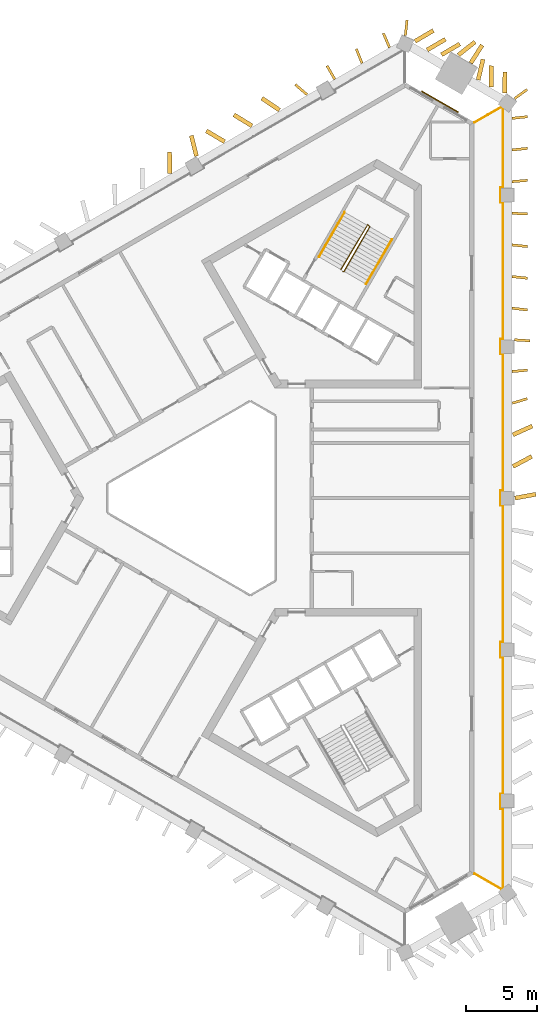
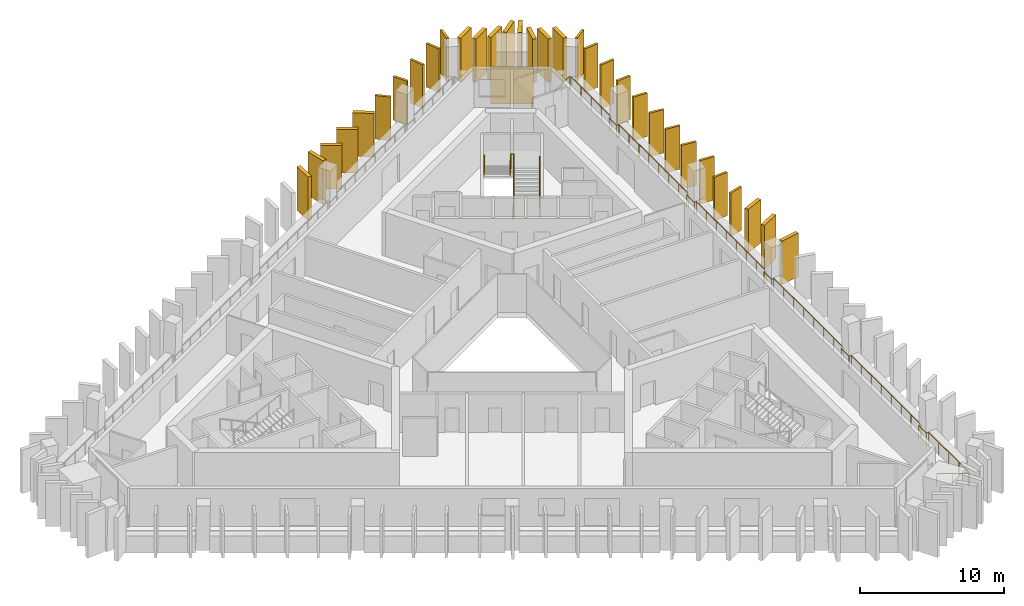
# One storey, part 9 of 9: 32 shading devices, 4 railings, 1 covering.
"""IFC4 building model written with IfcOpenShell, lengths in metres."""

from ifc_helpers import new_model, si_unit, direction, frame, frame_2d, origin, origin_2d, place, context, subcontext, project, spatial, rectangle, circle, extrude, material, layer, layer_set, type_object, element, save


model = new_model("IFC4")

# Units and contexts
model_context = context("Model", 3, precision=1e-05, world=origin(), true_north=direction((0.0, 1.0)))
body_context = subcontext(model_context, "Body", "Model", "MODEL_VIEW")
ifc_project = project(units=[si_unit("LENGTHUNIT", "METRE"), si_unit("AREAUNIT", "SQUARE_METRE"), si_unit("VOLUMEUNIT", "CUBIC_METRE"), si_unit("PLANEANGLEUNIT", "RADIAN"), si_unit("MASSUNIT", "GRAM", prefix="KILO")], contexts=[model_context])

# Site, building, storey
site_placement = place(None, origin())
site = spatial("IfcSite", under=ifc_project, at=site_placement, CompositionType="ELEMENT")
building_placement = place(site_placement, origin())
building = spatial("IfcBuilding", under=site, at=building_placement, Name="Jabali Bay Hotel Tower and Convention Centre", CompositionType="ELEMENT")
storey_placement = place(building_placement, frame((0.0, 0.0, 182.199951171875)))
storey = spatial("IfcBuildingStorey", under=building, at=storey_placement, Name="L44", CompositionType="ELEMENT", Elevation=182.199951171875)

# Railing
ifc_material_1 = material(Name="Glass", Category="glass")
railing_type_1 = type_object("IfcRailingType", Name="Loggia glass guard 1100", PredefinedType="BALUSTRADE", material=ifc_material_1)
railing_1_placement = place(storey_placement, frame((93.627197265625, 106.55322265625, 0.0)))
element("IfcRailing", 1, at=railing_1_placement, inside=storey, type_object=railing_type_1, Name="Loggia glass guard L44", PredefinedType="BALUSTRADE", context=body_context, shape_type="SweptSolid", body=[
    extrude(circle(Radius=0.02490234375, at=origin_2d()), frame((0.0, 0.0, 1.0751953125), z_axis=(0.866035418383, 0.499982653806, 0.0), x_axis=(-0.495705232892, 0.858626365323, 0.13052619222)), (0.0, 0.0, 1.0), 2.19287109375),
    extrude(circle(Radius=0.02490234375, at=origin_2d()), frame((1.899169921875, 1.096435546875, 1.0751953125), z_axis=(0.799767562016, -0.600309792313, 0.0), x_axis=(0.595174058821, 0.792925439655, 0.13052619222)), (0.0, 0.0, 1.0), 0.1259765625),
    extrude(circle(Radius=0.02490234375, at=origin_2d()), frame((2.0, 1.020751953125, 1.0751953125), z_axis=(0.0, -1.0, 0.0), x_axis=(0.991444861374, 0.0, 0.13052619222)), (0.0, 0.0, 1.0), 5.615234375),
    extrude(circle(Radius=0.02490234375, at=origin_2d()), frame((2.0, -4.594482421875, 1.0751953125), z_axis=(-1.0, 0.0, 0.0), x_axis=(0.0, -0.991444861374, 0.13052619222)), (0.0, 0.0, 1.0), 0.175048828125),
    extrude(circle(Radius=0.02490234375, at=origin_2d()), frame((1.824951171875, -4.594482421875, 1.0751953125), z_axis=(0.0, -1.0, 0.0), x_axis=(0.991444861374, 0.0, 0.13052619222)), (0.0, 0.0, 1.0), 1.050048828125),
    extrude(circle(Radius=0.02490234375, at=origin_2d()), frame((1.824951171875, -5.64453125, 1.0751953125), z_axis=(1.0, 0.0, 0.0), x_axis=(0.0, 0.991444861374, 0.13052619222)), (0.0, 0.0, 1.0), 0.175048828125),
    extrude(circle(Radius=0.02490234375, at=origin_2d()), frame((2.0, -5.64453125, 1.0751953125), z_axis=(0.0, -1.0, 0.0), x_axis=(0.991444861374, 0.0, 0.13052619222)), (0.0, 0.0, 1.0), 9.666748046875),
    extrude(circle(Radius=0.02490234375, at=origin_2d()), frame((2.0, -15.311279296875, 1.0751953125), z_axis=(-1.0, 0.0, 0.0), x_axis=(0.0, -0.991444861374, 0.13052619222)), (0.0, 0.0, 1.0), 0.175048828125),
    extrude(circle(Radius=0.02490234375, at=origin_2d()), frame((1.824951171875, -15.311279296875, 1.0751953125), z_axis=(0.0, -1.0, 0.0), x_axis=(0.991444861374, 0.0, 0.13052619222)), (0.0, 0.0, 1.0), 1.050048828125),
    extrude(circle(Radius=0.02490234375, at=origin_2d()), frame((1.824951171875, -16.361328125, 1.0751953125), z_axis=(1.0, 0.0, 0.0), x_axis=(0.0, 0.991444861374, 0.13052619222)), (0.0, 0.0, 1.0), 0.175048828125),
    extrude(circle(Radius=0.02490234375, at=origin_2d()), frame((2.0, -16.361328125, 1.0751953125), z_axis=(0.0, -1.0, 0.0), x_axis=(0.991444861374, 0.0, 0.13052619222)), (0.0, 0.0, 1.0), 9.6669921875),
    extrude(circle(Radius=0.02490234375, at=origin_2d()), frame((2.0, -26.0283203125, 1.0751953125), z_axis=(-1.0, 0.0, 0.0), x_axis=(0.0, -0.991444861374, 0.13052619222)), (0.0, 0.0, 1.0), 0.175048828125),
    extrude(circle(Radius=0.02490234375, at=origin_2d()), frame((1.824951171875, -26.0283203125, 1.0751953125), z_axis=(0.0, -1.0, 0.0), x_axis=(0.991444861374, 0.0, 0.13052619222)), (0.0, 0.0, 1.0), 1.0498046875),
    extrude(circle(Radius=0.02490234375, at=origin_2d()), frame((1.824951171875, -27.078125, 1.0751953125), z_axis=(1.0, 0.0, 0.0), x_axis=(0.0, 0.991444861374, 0.13052619222)), (0.0, 0.0, 1.0), 0.175048828125),
    extrude(circle(Radius=0.02490234375, at=origin_2d()), frame((2.0, -27.078125, 1.0751953125), z_axis=(0.0, -1.0, 0.0), x_axis=(0.991444861374, 0.0, 0.13052619222)), (0.0, 0.0, 1.0), 9.6669921875),
    extrude(circle(Radius=0.02490234375, at=origin_2d()), frame((2.0, -36.7451171875, 1.0751953125), z_axis=(-1.0, 0.0, 0.0), x_axis=(0.0, -0.991444861374, 0.13052619222)), (0.0, 0.0, 1.0), 0.175048828125),
    extrude(circle(Radius=0.02490234375, at=origin_2d()), frame((1.824951171875, -36.7451171875, 1.0751953125), z_axis=(0.0, -1.0, 0.0), x_axis=(0.991444861374, 0.0, 0.13052619222)), (0.0, 0.0, 1.0), 1.050048828125),
    extrude(circle(Radius=0.02490234375, at=origin_2d()), frame((1.824951171875, -37.795166015625, 1.0751953125), z_axis=(1.0, 0.0, 0.0), x_axis=(0.0, 0.991444861374, 0.13052619222)), (0.0, 0.0, 1.0), 0.175048828125),
    extrude(circle(Radius=0.02490234375, at=origin_2d()), frame((2.0, -37.795166015625, 1.0751953125), z_axis=(0.0, -1.0, 0.0), x_axis=(0.991444861374, 0.0, 0.13052619222)), (0.0, 0.0, 1.0), 9.666748046875),
    extrude(circle(Radius=0.02490234375, at=origin_2d()), frame((2.0, -47.4619140625, 1.0751953125), z_axis=(-1.0, 0.0, 0.0), x_axis=(0.0, -0.991444861374, 0.13052619222)), (0.0, 0.0, 1.0), 0.175048828125),
    extrude(circle(Radius=0.02490234375, at=origin_2d()), frame((1.824951171875, -47.4619140625, 1.0751953125), z_axis=(0.0, -1.0, 0.0), x_axis=(0.991444861374, 0.0, 0.13052619222)), (0.0, 0.0, 1.0), 1.050048828125),
    extrude(circle(Radius=0.02490234375, at=origin_2d()), frame((1.824951171875, -48.511962890625, 1.0751953125), z_axis=(1.0, 0.0, 0.0), x_axis=(0.0, 0.991444861374, 0.13052619222)), (0.0, 0.0, 1.0), 0.175048828125),
    extrude(circle(Radius=0.02490234375, at=origin_2d()), frame((2.0, -48.511962890625, 1.0751953125), z_axis=(0.0, -1.0, 0.0), x_axis=(0.991444861374, 0.0, 0.13052619222)), (0.0, 0.0, 1.0), 5.615234375),
    extrude(circle(Radius=0.02490234375, at=origin_2d()), frame((2.0, -54.127197265625, 1.0751953125), z_axis=(-0.799767562016, -0.600309792313, 0.0), x_axis=(0.595174058821, -0.792925439655, 0.13052619222)), (0.0, 0.0, 1.0), 0.1259765625),
    extrude(circle(Radius=0.02490234375, at=origin_2d()), frame((1.899169921875, -54.202880859375, 1.0751953125), z_axis=(-0.866035418383, 0.499982653806, 0.0), x_axis=(-0.495705232892, -0.858626365323, 0.13052619222)), (0.0, 0.0, 1.0), 2.19287109375),
    extrude(circle(Radius=0.02001953125, at=origin_2d()), origin(), (0.0, 0.0, 1.0), 1.050048828125),
    extrude(circle(Radius=0.02001953125, at=origin_2d()), frame((0.94970703125, 0.54833984375, 0.0)), (0.0, 0.0, 1.0), 1.050048828125),
    extrude(circle(Radius=0.02001953125, at=origin_2d()), frame((1.899169921875, 1.096435546875, 0.0)), (0.0, 0.0, 1.0), 1.050048828125),
    extrude(circle(Radius=0.02001953125, at=origin_2d()), frame((2.0, 1.020751953125, 0.0)), (0.0, 0.0, 1.0), 1.050048828125),
    extrude(circle(Radius=0.02001953125, at=origin_2d()), frame((2.0, -0.383056640625, 0.0)), (0.0, 0.0, 1.0), 1.050048828125),
    extrude(circle(Radius=0.02001953125, at=origin_2d()), frame((2.0, -1.786865234375, 0.0)), (0.0, 0.0, 1.0), 1.050048828125),
    extrude(circle(Radius=0.02001953125, at=origin_2d()), frame((2.0, -3.190673828125, 0.0)), (0.0, 0.0, 1.0), 1.050048828125),
    extrude(circle(Radius=0.02001953125, at=origin_2d()), frame((2.0, -4.594482421875, 0.0)), (0.0, 0.0, 1.0), 1.050048828125),
    extrude(circle(Radius=0.02001953125, at=origin_2d()), frame((1.824951171875, -4.594482421875, 0.0)), (0.0, 0.0, 1.0), 1.050048828125),
    extrude(circle(Radius=0.02001953125, at=origin_2d()), frame((1.824951171875, -5.64453125, 0.0)), (0.0, 0.0, 1.0), 1.050048828125),
    extrude(circle(Radius=0.02001953125, at=origin_2d()), frame((2.0, -5.64453125, 0.0)), (0.0, 0.0, 1.0), 1.050048828125),
    extrude(circle(Radius=0.02001953125, at=origin_2d()), frame((2.0, -7.025390625, 0.0)), (0.0, 0.0, 1.0), 1.050048828125),
    extrude(circle(Radius=0.02001953125, at=origin_2d()), frame((2.0, -8.406494140625, 0.0)), (0.0, 0.0, 1.0), 1.050048828125),
    extrude(circle(Radius=0.02001953125, at=origin_2d()), frame((2.0, -9.787353515625, 0.0)), (0.0, 0.0, 1.0), 1.050048828125),
    extrude(circle(Radius=0.02001953125, at=origin_2d()), frame((2.0, -11.16845703125, 0.0)), (0.0, 0.0, 1.0), 1.050048828125),
    extrude(circle(Radius=0.02001953125, at=origin_2d()), frame((2.0, -12.54931640625, 0.0)), (0.0, 0.0, 1.0), 1.050048828125),
    extrude(circle(Radius=0.02001953125, at=origin_2d()), frame((2.0, -13.930419921875, 0.0)), (0.0, 0.0, 1.0), 1.050048828125),
    extrude(circle(Radius=0.02001953125, at=origin_2d()), frame((2.0, -15.311279296875, 0.0)), (0.0, 0.0, 1.0), 1.050048828125),
    extrude(circle(Radius=0.02001953125, at=origin_2d()), frame((1.824951171875, -15.311279296875, 0.0)), (0.0, 0.0, 1.0), 1.050048828125),
    extrude(circle(Radius=0.02001953125, at=origin_2d()), frame((1.824951171875, -16.361328125, 0.0)), (0.0, 0.0, 1.0), 1.050048828125),
    extrude(circle(Radius=0.02001953125, at=origin_2d()), frame((2.0, -16.361328125, 0.0)), (0.0, 0.0, 1.0), 1.050048828125),
    extrude(circle(Radius=0.02001953125, at=origin_2d()), frame((2.0, -17.742431640625, 0.0)), (0.0, 0.0, 1.0), 1.050048828125),
    extrude(circle(Radius=0.02001953125, at=origin_2d()), frame((2.0, -19.123291015625, 0.0)), (0.0, 0.0, 1.0), 1.050048828125),
    extrude(circle(Radius=0.02001953125, at=origin_2d()), frame((2.0, -20.50439453125, 0.0)), (0.0, 0.0, 1.0), 1.050048828125),
    extrude(circle(Radius=0.02001953125, at=origin_2d()), frame((2.0, -21.88525390625, 0.0)), (0.0, 0.0, 1.0), 1.050048828125),
    extrude(circle(Radius=0.02001953125, at=origin_2d()), frame((2.0, -23.266357421875, 0.0)), (0.0, 0.0, 1.0), 1.050048828125),
    extrude(circle(Radius=0.02001953125, at=origin_2d()), frame((2.0, -24.647216796875, 0.0)), (0.0, 0.0, 1.0), 1.050048828125),
    extrude(circle(Radius=0.02001953125, at=origin_2d()), frame((2.0, -26.0283203125, 0.0)), (0.0, 0.0, 1.0), 1.050048828125),
    extrude(circle(Radius=0.02001953125, at=origin_2d()), frame((1.824951171875, -26.0283203125, 0.0)), (0.0, 0.0, 1.0), 1.050048828125),
    extrude(circle(Radius=0.02001953125, at=origin_2d()), frame((1.824951171875, -27.078125, 0.0)), (0.0, 0.0, 1.0), 1.050048828125),
    extrude(circle(Radius=0.02001953125, at=origin_2d()), frame((2.0, -27.078125, 0.0)), (0.0, 0.0, 1.0), 1.050048828125),
    extrude(circle(Radius=0.02001953125, at=origin_2d()), frame((2.0, -28.459228515625, 0.0)), (0.0, 0.0, 1.0), 1.050048828125),
    extrude(circle(Radius=0.02001953125, at=origin_2d()), frame((2.0, -29.840087890625, 0.0)), (0.0, 0.0, 1.0), 1.050048828125),
    extrude(circle(Radius=0.02001953125, at=origin_2d()), frame((2.0, -31.22119140625, 0.0)), (0.0, 0.0, 1.0), 1.050048828125),
    extrude(circle(Radius=0.02001953125, at=origin_2d()), frame((2.0, -32.60205078125, 0.0)), (0.0, 0.0, 1.0), 1.050048828125),
    extrude(circle(Radius=0.02001953125, at=origin_2d()), frame((2.0, -33.983154296875, 0.0)), (0.0, 0.0, 1.0), 1.050048828125),
    extrude(circle(Radius=0.02001953125, at=origin_2d()), frame((2.0, -35.364013671875, 0.0)), (0.0, 0.0, 1.0), 1.050048828125),
    extrude(circle(Radius=0.02001953125, at=origin_2d()), frame((2.0, -36.7451171875, 0.0)), (0.0, 0.0, 1.0), 1.050048828125),
    extrude(circle(Radius=0.02001953125, at=origin_2d()), frame((1.824951171875, -36.7451171875, 0.0)), (0.0, 0.0, 1.0), 1.050048828125),
    extrude(circle(Radius=0.02001953125, at=origin_2d()), frame((1.824951171875, -37.795166015625, 0.0)), (0.0, 0.0, 1.0), 1.050048828125),
    extrude(circle(Radius=0.02001953125, at=origin_2d()), frame((2.0, -37.795166015625, 0.0)), (0.0, 0.0, 1.0), 1.050048828125),
    extrude(circle(Radius=0.02001953125, at=origin_2d()), frame((2.0, -39.176025390625, 0.0)), (0.0, 0.0, 1.0), 1.050048828125),
    extrude(circle(Radius=0.02001953125, at=origin_2d()), frame((2.0, -40.55712890625, 0.0)), (0.0, 0.0, 1.0), 1.050048828125),
    extrude(circle(Radius=0.02001953125, at=origin_2d()), frame((2.0, -41.93798828125, 0.0)), (0.0, 0.0, 1.0), 1.050048828125),
    extrude(circle(Radius=0.02001953125, at=origin_2d()), frame((2.0, -43.319091796875, 0.0)), (0.0, 0.0, 1.0), 1.050048828125),
    extrude(circle(Radius=0.02001953125, at=origin_2d()), frame((2.0, -44.699951171875, 0.0)), (0.0, 0.0, 1.0), 1.050048828125),
    extrude(circle(Radius=0.02001953125, at=origin_2d()), frame((2.0, -46.0810546875, 0.0)), (0.0, 0.0, 1.0), 1.050048828125),
    extrude(circle(Radius=0.02001953125, at=origin_2d()), frame((2.0, -47.4619140625, 0.0)), (0.0, 0.0, 1.0), 1.050048828125),
    extrude(circle(Radius=0.02001953125, at=origin_2d()), frame((1.824951171875, -47.4619140625, 0.0)), (0.0, 0.0, 1.0), 1.050048828125),
    extrude(circle(Radius=0.02001953125, at=origin_2d()), frame((1.824951171875, -48.511962890625, 0.0)), (0.0, 0.0, 1.0), 1.050048828125),
    extrude(circle(Radius=0.02001953125, at=origin_2d()), frame((2.0, -48.511962890625, 0.0)), (0.0, 0.0, 1.0), 1.050048828125),
    extrude(circle(Radius=0.02001953125, at=origin_2d()), frame((2.0, -49.915771484375, 0.0)), (0.0, 0.0, 1.0), 1.050048828125),
    extrude(circle(Radius=0.02001953125, at=origin_2d()), frame((2.0, -51.319580078125, 0.0)), (0.0, 0.0, 1.0), 1.050048828125),
    extrude(circle(Radius=0.02001953125, at=origin_2d()), frame((2.0, -52.723388671875, 0.0)), (0.0, 0.0, 1.0), 1.050048828125),
    extrude(circle(Radius=0.02001953125, at=origin_2d()), frame((2.0, -54.127197265625, 0.0)), (0.0, 0.0, 1.0), 1.050048828125),
    extrude(circle(Radius=0.02001953125, at=origin_2d()), frame((1.899169921875, -54.202880859375, 0.0)), (0.0, 0.0, 1.0), 1.050048828125),
    extrude(circle(Radius=0.02001953125, at=origin_2d()), frame((0.94970703125, -53.65478515625, 0.0)), (0.0, 0.0, 1.0), 1.050048828125),
    extrude(circle(Radius=0.02001953125, at=origin_2d()), frame((0.0, -53.1064453125, 0.0)), (0.0, 0.0, 1.0), 1.050048828125),
])

# Shading devices
ifc_material_2 = material(Name="Precast concrete C60", Category="concrete")
ifc_layer_1 = layer(ifc_material_2, 0.179931640625)
ifc_layer_set_1 = layer_set([ifc_layer_1], Name="Precast concrete C60")
shading_device_type_1 = type_object("IfcShadingDeviceType", Name="Precast fin 3680 x 1100", PredefinedType="USERDEFINED", material=ifc_layer_set_1)
shading_device_1_placement = place(storey_placement, frame((96.295654296875, 86.712158203125, 0.010009765625), z_axis=(0.0, 0.0, 1.0), x_axis=(0.957207138057, 0.28940368839, 0.0)))
element("IfcShadingDevice", 2, at=shading_device_1_placement, inside=storey, type_object=shading_device_type_1, Name="Fin L44 015", ObjectType="FIN", PredefinedType="USERDEFINED", context=body_context, shape_type="SweptSolid", body=[
    extrude(rectangle(XDim=1.10009765625, YDim=0.179931640625, at=frame_2d((0.550048828125, 0.0))), origin(), (0.0, 0.0, 1.0), 3.679931640625),
])
for number, where, z_axis, x_axis, name in (
    (3, (96.277587890625, 88.94970703125, 0.010009765625), (0.0, 0.0, 1.0), (0.996129850025, 0.087893810296, 0.0), "Fin L44 016"),
    (4, (96.45751953125, 91.18701171875, 0.010009765625), (0.0, 0.0, 1.0), (0.998242074806, -0.059268542133, 0.0), "Fin L44 017"),
):
    element("IfcShadingDevice", number, at=place(storey_placement, frame(where, z_axis=z_axis, x_axis=x_axis)), inside=storey, type_object=shading_device_type_1, Name=name, ObjectType="FIN", PredefinedType="USERDEFINED", context=body_context, shape_type="SweptSolid", body=[
        extrude(rectangle(XDim=1.099853515625, YDim=0.179931640625, at=frame_2d((0.5498046875, 0.0))), origin(), (0.0, 0.0, 1.0), 3.679931640625),
    ])
for number, where, z_axis, x_axis, name in (
    (5, (96.27978515625, 93.424560546875, 0.010009765625), (0.0, 0.0, 1.0), (0.99364875495, -0.112526227107, 0.0), "Fin L44 018"),
    (6, (96.279296875, 95.661865234375, 0.010009765625), (0.0, 0.0, 1.0), (0.994285620434, -0.106752540944, 0.0), "Fin L44 019"),
    (7, (96.279052734375, 97.8994140625, 0.010009765625), (0.0, 0.0, 1.0), (0.99447500941, -0.104973595057, 0.0), "Fin L44 020"),
    (8, (96.2734375, 100.13671875, 0.010009765625), (0.0, 0.0, 1.0), (0.999063262983, -0.043273508725, 0.0), "Fin L44 021"),
):
    element("IfcShadingDevice", number, at=place(storey_placement, frame(where, z_axis=z_axis, x_axis=x_axis)), inside=storey, type_object=shading_device_type_1, Name=name, ObjectType="FIN", PredefinedType="USERDEFINED", context=body_context, shape_type="SweptSolid", body=[
        extrude(rectangle(XDim=1.10009765625, YDim=0.179931640625, at=frame_2d((0.550048828125, 0.0))), origin(), (0.0, 0.0, 1.0), 3.679931640625),
    ])
for number, where, z_axis, x_axis, name in (
    (9, (96.27685546875, 102.374267578125, 0.010009765625), (0.0, 0.0, 1.0), (0.99678486003, 0.08012454564, 0.0), "Fin L44 022"),
    (10, (96.279052734375, 104.611572265625, 0.010009765625), (0.0, 0.0, 1.0), (0.994613165914, 0.103656404482, 0.0), "Fin L44 023"),
    (11, (96.279052734375, 106.848876953125, 0.010009765625), (0.0, 0.0, 1.0), (0.994613165914, 0.103656404482, 0.0), "Fin L44 024"),
):
    element("IfcShadingDevice", number, at=place(storey_placement, frame(where, z_axis=z_axis, x_axis=x_axis)), inside=storey, type_object=shading_device_type_1, Name=name, ObjectType="FIN", PredefinedType="USERDEFINED", context=body_context, shape_type="SweptSolid", body=[
        extrude(rectangle(XDim=1.099853515625, YDim=0.179931640625, at=frame_2d((0.5498046875, 0.0))), origin(), (0.0, 0.0, 1.0), 3.679931640625),
    ])
shading_device_2_placement = place(storey_placement, frame((87.61181640625, 111.853515625, 0.010009765625), z_axis=(0.0, 0.0, 1.0), x_axis=(-0.396168160574, 0.918177972153, 0.0)))
element("IfcShadingDevice", 12, at=shading_device_2_placement, inside=storey, type_object=shading_device_type_1, Name="Fin L44 033", ObjectType="FIN", PredefinedType="USERDEFINED", context=body_context, shape_type="SweptSolid", body=[
    extrude(rectangle(XDim=1.10009765625, YDim=0.179931640625, at=frame_2d((0.550048828125, 0.0))), origin(), (0.0, 0.0, 1.0), 3.679931640625),
])
shading_device_3_placement = place(storey_placement, frame((85.673095703125, 110.73681640625, 0.010009765625), z_axis=(0.0, 0.0, 1.0), x_axis=(-0.37357105463, 0.927601567023, 0.0)))
element("IfcShadingDevice", 13, at=shading_device_3_placement, inside=storey, type_object=shading_device_type_1, Name="Fin L44 034", ObjectType="FIN", PredefinedType="USERDEFINED", context=body_context, shape_type="SweptSolid", body=[
    extrude(rectangle(XDim=1.099853515625, YDim=0.179931640625, at=frame_2d((0.5498046875, 0.0))), origin(), (0.0, 0.0, 1.0), 3.679931640625),
])
shading_device_4_placement = place(storey_placement, frame((83.741455078125, 109.607666015625, 0.010009765625), z_axis=(0.0, 0.0, 1.0), x_axis=(-0.494943365367, 0.86892523561, 0.0)))
element("IfcShadingDevice", 14, at=shading_device_4_placement, inside=storey, type_object=shading_device_type_1, Name="Fin L44 035", ObjectType="FIN", PredefinedType="USERDEFINED", context=body_context, shape_type="SweptSolid", body=[
    extrude(rectangle(XDim=1.10009765625, YDim=0.179931640625, at=frame_2d((0.550048828125, 0.0))), origin(), (0.0, 0.0, 1.0), 3.679931640625),
])
for number, where, z_axis, x_axis, name in (
    (15, (81.7890625, 108.514404296875, 0.010009765625), (0.0, 0.0, 1.0), (-0.759193920295, 0.650864495411, 0.0), "Fin L44 036"),
    (16, (96.44921875, 108.240234375, 0.010009765625), (0.0, 0.0, 1.0), (0.809512861394, 0.587102143786, 0.0), "Fin L44 100"),
):
    element("IfcShadingDevice", number, at=place(storey_placement, frame(where, z_axis=z_axis, x_axis=x_axis)), inside=storey, type_object=shading_device_type_1, Name=name, ObjectType="FIN", PredefinedType="USERDEFINED", context=body_context, shape_type="SweptSolid", body=[
        extrude(rectangle(XDim=1.099853515625, YDim=0.179931640625, at=frame_2d((0.5498046875, 0.0))), origin(), (0.0, 0.0, 1.0), 3.679931640625),
    ])
shading_device_5_placement = place(storey_placement, frame((88.732177734375, 112.695068359375, 0.010009765625), z_axis=(0.0, 0.0, 1.0), x_axis=(0.110748191333, 0.993848498573, 0.0)))
element("IfcShadingDevice", 17, at=shading_device_5_placement, inside=storey, type_object=shading_device_type_1, Name="Fin L44 101", ObjectType="FIN", PredefinedType="USERDEFINED", context=body_context, shape_type="SweptSolid", body=[
    extrude(rectangle(XDim=1.10009765625, YDim=0.179931640625, at=frame_2d((0.550048828125, 0.0))), origin(), (0.0, 0.0, 1.0), 3.679931640625),
])
ifc_layer_2 = layer(ifc_material_2, 0.300048828125)
ifc_layer_set_2 = layer_set([ifc_layer_2], Name="Precast concrete C60")
shading_device_type_2 = type_object("IfcShadingDeviceType", Name="Precast fin 3680 x 1500", PredefinedType="USERDEFINED", material=ifc_layer_set_2)
shading_device_6_placement = place(storey_placement, frame((96.4794921875, 80.0, 0.010009765625), z_axis=(0.0, 0.0, 1.0), x_axis=(0.983331621675, 0.181821125875, 0.0)))
element("IfcShadingDevice", 18, at=shading_device_6_placement, inside=storey, type_object=shading_device_type_2, Name="Fin L44 012", ObjectType="FIN", PredefinedType="USERDEFINED", context=body_context, shape_type="SweptSolid", body=[
    extrude(rectangle(XDim=1.499755859375, YDim=0.300048828125, at=frame_2d((0.75, 0.0))), origin(), (0.0, 0.0, 1.0), 3.679931640625),
])
for number, where, z_axis, x_axis, name in (
    (19, (96.340087890625, 82.2373046875, 0.010009765625), (0.0, 0.0, 1.0), (0.882641123357, 0.470047494791, 0.0), "Fin L44 013"),
    (20, (96.331298828125, 84.474853515625, 0.010009765625), (0.0, 0.0, 1.0), (0.911854488738, 0.41051357026, 0.0), "Fin L44 014"),
    (21, (95.7578125, 108.63330078125, 0.010009765625), (0.0, 0.0, 1.0), (0.007649515767, 0.999970742026, 0.0), "Fin L44 025"),
    (22, (94.799072265625, 109.064453125, 0.010009765625), (0.0, 0.0, 1.0), (0.007649515767, 0.999970742026, 0.0), "Fin L44 026"),
    (23, (93.878173828125, 109.560791015625, 0.010009765625), (0.0, 0.0, 1.0), (0.228839748504, 0.973464107969, 0.0), "Fin L44 027"),
    (24, (93.360107421875, 110.755126953125, 0.010009765625), (0.0, 0.0, 1.0), (0.534862319913, 0.844939227836, 0.0), "Fin L44 028"),
    (25, (92.479248046875, 111.320556640625, 0.010009765625), (0.0, 0.0, 1.0), (0.784649406973, 0.619939761701, 0.0), "Fin L44 029"),
    (26, (91.28466796875, 111.34326171875, 0.010009765625), (0.0, 0.0, 1.0), (0.862139163582, 0.506671552998, 0.0), "Fin L44 030"),
    (27, (90.27099609375, 111.6787109375, 0.010009765625), (0.0, 0.0, 1.0), (0.862139163582, 0.506671552998, 0.0), "Fin L44 031"),
):
    element("IfcShadingDevice", number, at=place(storey_placement, frame(where, z_axis=z_axis, x_axis=x_axis)), inside=storey, type_object=shading_device_type_2, Name=name, ObjectType="FIN", PredefinedType="USERDEFINED", context=body_context, shape_type="SweptSolid", body=[
        extrude(rectangle(XDim=1.5, YDim=0.300048828125, at=frame_2d((0.75, 0.0))), origin(), (0.0, 0.0, 1.0), 3.679931640625),
    ])
shading_device_7_placement = place(storey_placement, frame((89.418212890625, 112.29345703125, 0.010009765625), z_axis=(0.0, 0.0, 1.0), x_axis=(0.862180937869, 0.506600464248, 0.0)))
element("IfcShadingDevice", 28, at=shading_device_7_placement, inside=storey, type_object=shading_device_type_2, Name="Fin L44 032", ObjectType="FIN", PredefinedType="USERDEFINED", context=body_context, shape_type="SweptSolid", body=[
    extrude(rectangle(XDim=1.500244140625, YDim=0.300048828125, at=frame_2d((0.75, 0.0))), origin(), (0.0, 0.0, 1.0), 3.679931640625),
])
for number, where, z_axis, x_axis, name in (
    (29, (79.833740234375, 107.426513671875, 0.010009765625), (0.0, 0.0, 1.0), (-0.827921128283, 0.560844546503, 0.0), "Fin L44 037"),
    (30, (77.892822265625, 106.313232421875, 0.010009765625), (0.0, 0.0, 1.0), (-0.8533582675, 0.521324915278, 0.0), "Fin L44 038"),
    (31, (75.954345703125, 105.19580078125, 0.010009765625), (0.0, 0.0, 1.0), (-0.86002438991, 0.510252926262, 0.0), "Fin L44 039"),
):
    element("IfcShadingDevice", number, at=place(storey_placement, frame(where, z_axis=z_axis, x_axis=x_axis)), inside=storey, type_object=shading_device_type_2, Name=name, ObjectType="FIN", PredefinedType="USERDEFINED", context=body_context, shape_type="SweptSolid", body=[
        extrude(rectangle(XDim=1.5, YDim=0.300048828125, at=frame_2d((0.75, 0.0))), origin(), (0.0, 0.0, 1.0), 3.679931640625),
    ])
shading_device_8_placement = place(storey_placement, frame((73.961669921875, 104.1728515625, 0.010009765625), z_axis=(0.0, 0.0, 1.0), x_axis=(-0.237169771182, 0.971468218542, 0.0)))
element("IfcShadingDevice", 32, at=shading_device_8_placement, inside=storey, type_object=shading_device_type_2, Name="Fin L44 040", ObjectType="FIN", PredefinedType="USERDEFINED", context=body_context, shape_type="SweptSolid", body=[
    extrude(rectangle(XDim=1.499755859375, YDim=0.300048828125, at=frame_2d((0.75, 0.0))), origin(), (0.0, 0.0, 1.0), 3.679931640625),
])
shading_device_9_placement = place(storey_placement, frame((72.078857421875, 102.958984375, 0.010009765625), z_axis=(0.0, 0.0, 1.0), x_axis=(-0.007975006796, 0.999968199128, 0.0)))
element("IfcShadingDevice", 33, at=shading_device_9_placement, inside=storey, type_object=shading_device_type_2, Name="Fin L44 041", ObjectType="FIN", PredefinedType="USERDEFINED", context=body_context, shape_type="SweptSolid", body=[
    extrude(rectangle(XDim=1.5, YDim=0.300048828125, at=frame_2d((0.75, 0.0))), origin(), (0.0, 0.0, 1.0), 3.679931640625),
])

# Covering
ifc_material_3 = material(Name="Precast concrete C40/50", Category="concrete")
ifc_layer_3 = layer(ifc_material_3, 0.080078125)
ifc_layer_set_3 = layer_set([ifc_layer_3], Name="Precast concrete C40/50")
covering_type = type_object("IfcCoveringType", Name="Relief panel 3000 x 3050", PredefinedType="CLADDING", material=ifc_layer_set_3)
covering_placement = place(storey_placement, frame((91.174560546875, 108.015380859375, 0.10009765625), z_axis=(0.0, 0.0, 1.0), x_axis=(0.866025415487, -0.499999979731, 0.0)))
element("IfcCovering", 34, at=covering_placement, inside=storey, type_object=covering_type, Name="Relief panel L44", PredefinedType="CLADDING", context=body_context, shape_type="SweptSolid", body=[
    extrude(rectangle(XDim=3.0, YDim=0.080078125, at=origin_2d()), origin(), (0.0, 0.0, 1.0), 3.050048828125),
])

# Railings
ifc_material_4 = material(Name="Steel Q355B", Category="steel")
railing_type_2 = type_object("IfcRailingType", Name="Stair guard 1100", PredefinedType="GUARDRAIL", material=ifc_material_4)
railing_2_placement = place(storey_placement, frame((84.329833984375, 96.010009765625, 0.0)))
element("IfcRailing", 35, at=railing_2_placement, inside=storey, type_object=railing_type_2, Name="L44 ST2 stair guard 1", PredefinedType="GUARDRAIL", context=body_context, shape_type="SweptSolid", body=[
    extrude(circle(Radius=0.02392578125, at=origin_2d()), frame((0.0, 0.0, 1.076171875), z_axis=(0.456201556387, 0.122196845461, 0.881446578591), x_axis=(-0.258736085224, 0.965948051503, 0.0)), (0.0, 0.0, 1.0), 0.14990234375),
    extrude(circle(Radius=0.02392578125, at=origin_2d()), frame((0.068359375, 0.018310546875, 1.2080078125), z_axis=(0.45217862506, 0.783169739339, 0.426825081763), x_axis=(-0.866018046521, 0.500012742938, 0.0)), (0.0, 0.0, 1.0), 4.025146484375),
    extrude(circle(Radius=0.02392578125, at=origin_2d()), frame((1.888427734375, 3.170654296875, 2.92626953125), z_axis=(-0.718850276695, 0.695164929852, 0.0), x_axis=(-0.695164929852, -0.718850276695, 0.0)), (0.0, 0.0, 1.0), 0.2060546875),
    extrude(circle(Radius=0.02392578125, at=origin_2d()), frame((1.740234375, 3.31396484375, 2.92626953125), z_axis=(-0.457457462341, -0.768067235091, 0.448113147015), x_axis=(0.859157857954, -0.511710636118, 0.0)), (0.0, 0.0, 1.0), 4.128173828125),
    extrude(circle(Radius=0.02099609375, at=origin_2d()), origin(), (0.0, 0.0, 1.0), 1.052001953125),
    extrude(circle(Radius=0.02099609375, at=origin_2d()), frame((0.068359375, 0.018310546875, 0.132080078125)), (0.0, 0.0, 1.0), 1.052001953125),
    extrude(circle(Radius=0.02099609375, at=origin_2d()), frame((0.5234375, 0.806396484375, 0.5615234375)), (0.0, 0.0, 1.0), 1.052001953125),
    extrude(circle(Radius=0.02099609375, at=origin_2d()), frame((0.978515625, 1.594482421875, 0.9912109375)), (0.0, 0.0, 1.0), 1.052001953125),
    extrude(circle(Radius=0.02099609375, at=origin_2d()), frame((1.433349609375, 2.382568359375, 1.420654296875)), (0.0, 0.0, 1.0), 1.052001953125),
    extrude(circle(Radius=0.02099609375, at=origin_2d()), frame((1.888427734375, 3.170654296875, 1.85009765625)), (0.0, 0.0, 1.0), 1.052001953125),
    extrude(circle(Radius=0.02099609375, at=origin_2d()), frame((1.740234375, 3.31396484375, 1.85009765625)), (0.0, 0.0, 1.0), 1.052001953125),
    extrude(circle(Radius=0.02099609375, at=origin_2d()), frame((1.26806640625, 2.521240234375, 2.3125)), (0.0, 0.0, 1.0), 1.052001953125),
    extrude(circle(Radius=0.02099609375, at=origin_2d()), frame((0.7958984375, 1.728515625, 2.77490234375)), (0.0, 0.0, 1.0), 1.052001953125),
    extrude(circle(Radius=0.02099609375, at=origin_2d()), frame((0.323974609375, 0.93603515625, 3.237548828125)), (0.0, 0.0, 1.0), 1.052001953125),
    extrude(circle(Radius=0.02099609375, at=origin_2d()), frame((-0.148193359375, 0.143310546875, 3.699951171875)), (0.0, 0.0, 1.0), 1.052001953125),
])
railing_type_3 = type_object("IfcRailingType", Name="Stair handrail 900", PredefinedType="HANDRAIL", material=ifc_material_4)
railing_3_placement = place(storey_placement, frame((85.95703125, 95.128173828125, 0.132080078125)))
element("IfcRailing", 36, at=railing_3_placement, inside=storey, type_object=railing_type_3, Name="L44 ST2 stair handrail 1", PredefinedType="HANDRAIL", context=body_context, shape_type="SweptSolid", body=[
    extrude(circle(Radius=0.02392578125, at=origin_2d()), frame((0.0, 0.0, 0.8759765625), z_axis=(0.45217862506, 0.783169739339, 0.426825081763), x_axis=(-0.866018046521, 0.500012742938, 0.0)), (0.0, 0.0, 1.0), 4.025146484375),
    extrude(circle(Radius=0.02099609375, at=origin_2d()), origin(), (0.0, 0.0, 1.0), 0.851806640625),
    extrude(circle(Radius=0.02099609375, at=origin_2d()), frame((0.455078125, 0.7880859375, 0.429443359375)), (0.0, 0.0, 1.0), 0.851806640625),
    extrude(circle(Radius=0.02099609375, at=origin_2d()), frame((0.91015625, 1.576171875, 0.85888671875)), (0.0, 0.0, 1.0), 0.851806640625),
    extrude(circle(Radius=0.02099609375, at=origin_2d()), frame((1.364990234375, 2.3642578125, 1.28857421875)), (0.0, 0.0, 1.0), 0.851806640625),
    extrude(circle(Radius=0.02099609375, at=origin_2d()), frame((1.820068359375, 3.15234375, 1.718017578125)), (0.0, 0.0, 1.0), 0.851806640625),
])
railing_4_placement = place(storey_placement, frame((84.44287109375, 100.20556640625, 1.982177734375)))
element("IfcRailing", 37, at=railing_4_placement, inside=storey, type_object=railing_type_3, Name="L44 ST2 stair handrail 2", PredefinedType="HANDRAIL", context=body_context, shape_type="SweptSolid", body=[
    extrude(circle(Radius=0.02392578125, at=origin_2d()), frame((0.0, 0.0, 0.8759765625), z_axis=(-0.452190331055, -0.783190014029, 0.426775475427), x_axis=(0.866018046521, -0.500012742938, 0.0)), (0.0, 0.0, 1.0), 4.02490234375),
    extrude(circle(Radius=0.02099609375, at=origin_2d()), origin(), (0.0, 0.0, 1.0), 0.851806640625),
    extrude(circle(Radius=0.02099609375, at=origin_2d()), frame((-0.455078125, -0.7880859375, 0.429443359375)), (0.0, 0.0, 1.0), 0.851806640625),
    extrude(circle(Radius=0.02099609375, at=origin_2d()), frame((-0.91015625, -1.576171875, 0.85888671875)), (0.0, 0.0, 1.0), 0.851806640625),
    extrude(circle(Radius=0.02099609375, at=origin_2d()), frame((-1.364990234375, -2.3642578125, 1.288330078125)), (0.0, 0.0, 1.0), 0.851806640625),
    extrude(circle(Radius=0.02099609375, at=origin_2d()), frame((-1.820068359375, -3.15234375, 1.7177734375)), (0.0, 0.0, 1.0), 0.851806640625),
])

save(model, "model.ifc")
